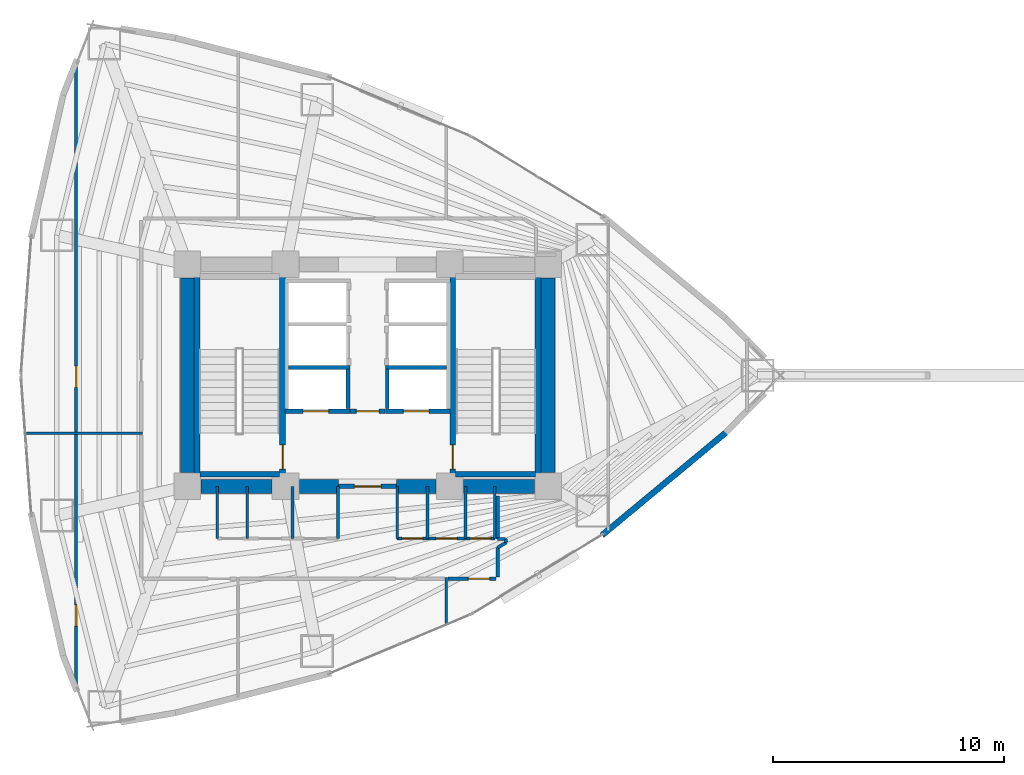
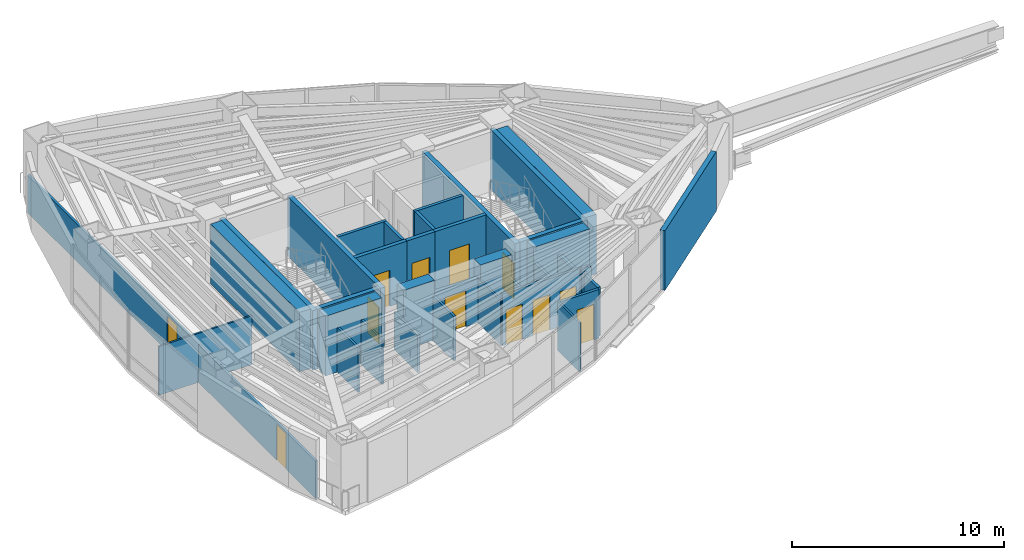
# One storey, part 14 of 18: 39 walls, 12 doors, 12 openings.
"""IFC4 building model written with IfcOpenShell, lengths in metres."""

from ifc_helpers import new_model, si_unit, direction, frame, frame_2d, origin, place, context, subcontext, project, spatial, rectangle, extrude, material, layer, layer_set, type_object, element, fill, save


model = new_model("IFC4")

# Units and contexts
model_context = context("Model", 3, precision=1e-05, world=origin(), true_north=direction((0.0, 1.0)))
body_context = subcontext(model_context, "Body", "Model", "MODEL_VIEW")
ifc_project = project(units=[si_unit("LENGTHUNIT", "METRE"), si_unit("AREAUNIT", "SQUARE_METRE"), si_unit("VOLUMEUNIT", "CUBIC_METRE"), si_unit("PLANEANGLEUNIT", "RADIAN"), si_unit("MASSUNIT", "GRAM", prefix="KILO")], contexts=[model_context])

# Site, building, storey
site_placement = place(None, origin())
site = spatial("IfcSite", under=ifc_project, at=site_placement, CompositionType="ELEMENT")
building_placement = place(site_placement, origin())
building = spatial("IfcBuilding", under=site, at=building_placement, Name="Menara Vayukalpa", CompositionType="ELEMENT")
storey_placement = place(building_placement, frame((0.0, 0.0, 53.639892578125)))
storey = spatial("IfcBuildingStorey", under=building, at=storey_placement, Name="L12", CompositionType="ELEMENT", Elevation=53.639892578125)

# Walls
ifc_material_1 = material(Name="Concrete C70/85", Category="concrete")
ifc_layer_1 = layer(ifc_material_1, 0.60009765625)
ifc_layer_set_1 = layer_set([ifc_layer_1], Name="Concrete C70/85")
wall_type_1 = type_object("IfcWallType", Name="WAL-CW600", PredefinedType="SHEAR", material=ifc_layer_set_1)
wall_1_placement = place(storey_placement, frame((18.39501953125, 17.199951171875, 0.0), z_axis=(0.0, 0.0, 1.0), x_axis=(1.0, 0.0, 0.0)))
element("IfcWall", 1, at=wall_1_placement, inside=storey, type_object=wall_type_1, Name="L12 Buttressed Core Shear Wall CWS1", PredefinedType="SHEAR", context=body_context, shape_type="SweptSolid", body=[
    extrude(rectangle(XDim=3.06005859375, YDim=0.60009765625, at=frame_2d((1.530029296875, 0.0))), origin(), (0.0, 0.0, 1.0), 3.440185546875),
])
wall_2_placement = place(storey_placement, frame((22.64501953125, 17.199951171875, 0.0), z_axis=(0.0, 0.0, 1.0), x_axis=(1.0, 0.0, 0.0)))
element("IfcWall", 2, at=wall_2_placement, inside=storey, type_object=wall_type_1, Name="L12 Buttressed Core Shear Wall CWS2", PredefinedType="SHEAR", context=body_context, shape_type="SweptSolid", body=[
    extrude(rectangle(XDim=1.705078125, YDim=0.60009765625, at=frame_2d((0.8525390625, 0.0))), origin(), (0.0, 0.0, 1.0), 3.440185546875),
])
wall_3_placement = place(storey_placement, frame((26.85009765625, 17.199951171875, 0.0), z_axis=(0.0, 0.0, 1.0), x_axis=(1.0, 0.0, 0.0)))
element("IfcWall", 3, at=wall_3_placement, inside=storey, type_object=wall_type_1, Name="L12 Buttressed Core Shear Wall CWS3", PredefinedType="SHEAR", context=body_context, shape_type="SweptSolid", body=[
    extrude(rectangle(XDim=1.704833984375, YDim=0.60009765625, at=frame_2d((0.8525390625, 0.0))), origin(), (0.0, 0.0, 1.0), 3.440185546875),
])
wall_4_placement = place(storey_placement, frame((29.7451171875, 17.199951171875, 0.0), z_axis=(0.0, 0.0, 1.0), x_axis=(1.0, 0.0, 0.0)))
element("IfcWall", 4, at=wall_4_placement, inside=storey, type_object=wall_type_1, Name="L12 Buttressed Core Shear Wall CWS4", PredefinedType="SHEAR", context=body_context, shape_type="SweptSolid", body=[
    extrude(rectangle(XDim=3.059814453125, YDim=0.60009765625, at=frame_2d((1.52978515625, 0.0))), origin(), (0.0, 0.0, 1.0), 3.440185546875),
])
for number, where, z_axis, x_axis, name in (
    (5, (17.800048828125, 17.794921875, 0.0), (0.0, 0.0, 1.0), (0.0, 1.0, 0.0), "L12 Buttressed Core Shear Wall CWW1"),
    (6, (33.39990234375, 17.794921875, 0.0), (0.0, 0.0, 1.0), (0.0, 1.0, 0.0), "L12 Buttressed Core Shear Wall CWE1"),
):
    element("IfcWall", number, at=place(storey_placement, frame(where, z_axis=z_axis, x_axis=x_axis)), inside=storey, type_object=wall_type_1, Name=name, PredefinedType="SHEAR", context=body_context, shape_type="SweptSolid", body=[
        extrude(rectangle(XDim=8.41015625, YDim=0.60009765625, at=frame_2d((4.205078125, 0.0))), origin(), (0.0, 0.0, 1.0), 3.440185546875),
    ])
ifc_material_2 = material(Name="Insulated Precast Concrete C40/50", Category="concrete")
ifc_layer_2 = layer(ifc_material_2, 0.260009765625)
ifc_layer_set_2 = layer_set([ifc_layer_2], Name="Insulated Precast Concrete C40/50")
wall_type_2 = type_object("IfcWallType", Name="WAL-EXT260", PredefinedType="PARTITIONING", material=ifc_layer_set_2)
wall_5_placement = place(storey_placement, frame((41.08935546875, 19.52880859375, 0.0), z_axis=(0.0, 0.0, 1.0), x_axis=(-0.769754596928, -0.638339925517, 0.0)))
element("IfcWall", 7, at=wall_5_placement, inside=storey, type_object=wall_type_2, Name="L12 Perimeter Terracotta Pier Wall 18", PredefinedType="PARTITIONING", context=body_context, shape_type="SweptSolid", body=[
    extrude(rectangle(XDim=6.959228515625, YDim=0.260009765625, at=frame_2d((3.4794921875, 0.0))), origin(), (0.0, 0.0, 1.0), 3.440185546875),
])
ifc_material_3 = material(Name="Lightweight Concrete Blockwork C16/20", Category="masonry")
ifc_layer_3 = layer(ifc_material_3, 0.159912109375)
ifc_layer_set_3 = layer_set([ifc_layer_3], Name="Lightweight Concrete Blockwork C16/20")
wall_type_3 = type_object("IfcWallType", Name="WAL-FR150", PredefinedType="PARTITIONING", material=ifc_layer_set_3)
wall_6_placement = place(storey_placement, frame((24.7548828125, 20.56005859375, 0.0), z_axis=(0.0, 0.0, 1.0), x_axis=(0.0, 1.0, 0.0)))
element("IfcWall", 8, at=wall_6_placement, inside=storey, type_object=wall_type_3, Name="L12 Interior Partition IW-L12-SHW-W1E", PredefinedType="PARTITIONING", context=body_context, shape_type="SweptSolid", body=[
    extrude(rectangle(XDim=1.7099609375, YDim=0.159912109375, at=frame_2d((0.85498046875, 0.0))), origin(), (0.0, 0.0, 1.0), 3.440185546875),
])
wall_7_placement = place(storey_placement, frame((22.179931640625, 22.344970703125, 0.0), z_axis=(0.0, 0.0, 1.0), x_axis=(1.0, 0.0, 0.0)))
element("IfcWall", 9, at=wall_7_placement, inside=storey, type_object=wall_type_3, Name="L12 Interior Partition IW-L12-SHM-W12", PredefinedType="PARTITIONING", context=body_context, shape_type="SweptSolid", body=[
    extrude(rectangle(XDim=2.650146484375, YDim=0.159912109375, at=frame_2d((1.3251953125, 0.0))), origin(), (0.0, 0.0, 1.0), 3.440185546875),
])
wall_8_placement = place(storey_placement, frame((26.445068359375, 20.56005859375, 0.0), z_axis=(0.0, 0.0, 1.0), x_axis=(0.0, 1.0, 0.0)))
element("IfcWall", 10, at=wall_8_placement, inside=storey, type_object=wall_type_3, Name="L12 Interior Partition IW-L12-SHW-E1W", PredefinedType="PARTITIONING", context=body_context, shape_type="SweptSolid", body=[
    extrude(rectangle(XDim=1.7099609375, YDim=0.159912109375, at=frame_2d((0.85498046875, 0.0))), origin(), (0.0, 0.0, 1.0), 3.440185546875),
])
wall_9_placement = place(storey_placement, frame((26.3701171875, 22.344970703125, 0.0), z_axis=(0.0, 0.0, 1.0), x_axis=(1.0, 0.0, 0.0)))
element("IfcWall", 11, at=wall_9_placement, inside=storey, type_object=wall_type_3, Name="L12 Interior Partition IW-L12-SHM-E13", PredefinedType="PARTITIONING", context=body_context, shape_type="SweptSolid", body=[
    extrude(rectangle(XDim=2.64990234375, YDim=0.159912109375, at=frame_2d((1.324951171875, 0.0))), origin(), (0.0, 0.0, 1.0), 3.440185546875),
])

# Wall, opening, door
ifc_material_4 = material(Name="Lightweight Concrete Blockwork C16/20", Category="masonry")
ifc_layer_4 = layer(ifc_material_4, 0.199951171875)
ifc_layer_set_4 = layer_set([ifc_layer_4], Name="Lightweight Concrete Blockwork C16/20")
wall_type_4 = type_object("IfcWallType", Name="WAL-FR200", PredefinedType="PARTITIONING", material=ifc_layer_set_4)
wall_10_placement = place(storey_placement, frame((24.35009765625, 17.199951171875, 0.0), z_axis=(0.0, 0.0, 1.0), x_axis=(1.0, 0.0, 0.0)))
wall_10 = element("IfcWall", 12, at=wall_10_placement, inside=storey, type_object=wall_type_4, Name="L12 Interior Partition IW-L12-FFLS", PredefinedType="PARTITIONING", context=body_context, shape_type="SweptSolid", body=[
    extrude(rectangle(XDim=2.5, YDim=0.199951171875, at=frame_2d((1.25, 0.0))), origin(), (0.0, 0.0, 1.0), 2.570068359375),
])
opening_1_placement = place(wall_10_placement, frame((0.679931640625, 0.0, 0.0)))
opening_1 = element("IfcOpeningElement", 13, at=opening_1_placement, cuts=wall_10, Name="Opening ID2", PredefinedType="OPENING", context=body_context, shape_type="SweptSolid", body=[
    extrude(rectangle(XDim=1.14990234375, YDim=2.080078125, at=frame_2d((0.574951171875, 1.0400390625))), frame((0.0, 0.10986328125, 0.0), z_axis=(0.0, -1.0, 0.0), x_axis=(1.0, 0.0, 0.0)), (0.0, 0.0, 1.0), 0.219970703125),
])
ifc_material_5 = material(Name="Fire-Rated Powder-Coated Steel Door", Category="steel")
door_type_1 = type_object("IfcDoorType", Name="DR-FD60W", OperationType="NOTDEFINED", PredefinedType="DOOR", material=ifc_material_5)
door_1_placement = place(opening_1_placement, origin())
door_1 = element("IfcDoor", 14, at=door_1_placement, inside=storey, type_object=door_type_1, Name="L12 Interior Door DR-L12-FFLS", OperationType="SINGLE_SWING_LEFT", OverallHeight=2.080078125, OverallWidth=1.14990234375, PredefinedType="DOOR", context=body_context, shape_type="SweptSolid", body=[
    extrude(rectangle(XDim=1.14990234375, YDim=2.080078125, at=frame_2d((0.574951171875, 1.0400390625))), frame((0.0, 0.02490234375, 0.0), z_axis=(0.0, -1.0, 0.0), x_axis=(1.0, 0.0, 0.0)), (0.0, 0.0, 1.0), 0.050048828125),
])
fill(opening_1, door_1)

wall_11_placement = place(storey_placement, frame((24.840087890625, 20.449951171875, 0.0), z_axis=(0.0, 0.0, 1.0), x_axis=(1.0, 0.0, 0.0)))
wall_11 = element("IfcWall", 15, at=wall_11_placement, inside=storey, type_object=wall_type_4, Name="L12 Interior Partition IW-L12-FFLN", PredefinedType="PARTITIONING", context=body_context, shape_type="SweptSolid", body=[
    extrude(rectangle(XDim=1.52001953125, YDim=0.199951171875, at=frame_2d((0.760009765625, 0.0))), origin(), (0.0, 0.0, 1.0), 3.440185546875),
])
opening_2_placement = place(wall_11_placement, frame((0.27001953125, 0.0, 0.0)))
opening_2 = element("IfcOpeningElement", 16, at=opening_2_placement, cuts=wall_11, Name="Opening ID3", PredefinedType="OPENING", context=body_context, shape_type="SweptSolid", body=[
    extrude(rectangle(XDim=0.97998046875, YDim=2.06005859375, at=frame_2d((0.489990234375, 1.030029296875))), frame((0.0, 0.10986328125, 0.0), z_axis=(0.0, -1.0, 0.0), x_axis=(1.0, 0.0, 0.0)), (0.0, 0.0, 1.0), 0.219970703125),
])
ifc_material_6 = material(Name="Fire-Rated Powder-Coated Steel Door", Category="steel")
door_type_2 = type_object("IfcDoorType", Name="DR-FD60", OperationType="NOTDEFINED", PredefinedType="DOOR", material=ifc_material_6)
door_2_placement = place(opening_2_placement, origin())
door_2 = element("IfcDoor", 17, at=door_2_placement, inside=storey, type_object=door_type_2, Name="L12 Interior Door DR-L12-FFLN", OperationType="SINGLE_SWING_RIGHT", OverallHeight=2.06005859375, OverallWidth=0.97998046875, PredefinedType="DOOR", context=body_context, shape_type="SweptSolid", body=[
    extrude(rectangle(XDim=0.97998046875, YDim=2.06005859375, at=frame_2d((0.489990234375, 1.030029296875))), frame((0.0, 0.02490234375, 0.0), z_axis=(0.0, -1.0, 0.0), x_axis=(1.0, 0.0, 0.0)), (0.0, 0.0, 1.0), 0.050048828125),
])
fill(opening_2, door_2)

wall_12_placement = place(storey_placement, frame((22.030029296875, 20.449951171875, 0.0), z_axis=(0.0, 0.0, 1.0), x_axis=(1.0, 0.0, 0.0)))
wall_12 = element("IfcWall", 18, at=wall_12_placement, inside=storey, type_object=wall_type_4, Name="L12 Interior Partition IW-L12-SH-W1", PredefinedType="PARTITIONING", context=body_context, shape_type="SweptSolid", body=[
    extrude(rectangle(XDim=2.800048828125, YDim=0.199951171875, at=frame_2d((1.39990234375, 0.0))), origin(), (0.0, 0.0, 1.0), 3.440185546875),
])
opening_3_placement = place(wall_12_placement, frame((0.780029296875, 0.0, 0.0)))
opening_3 = element("IfcOpeningElement", 19, at=opening_3_placement, cuts=wall_12, Name="Opening LD1", PredefinedType="OPENING", context=body_context, shape_type="SweptSolid", body=[
    extrude(rectangle(XDim=1.10009765625, YDim=2.080078125, at=frame_2d((0.550048828125, 1.0400390625))), frame((0.0, 0.10986328125, 0.0), z_axis=(0.0, -1.0, 0.0), x_axis=(1.0, 0.0, 0.0)), (0.0, 0.0, 1.0), 0.219970703125),
])
ifc_material_7 = material(Name="Brushed Stainless Steel 316 Lift Door", Category="steel")
door_type_3 = type_object("IfcDoorType", Name="DR-LD110", OperationType="NOTDEFINED", PredefinedType="DOOR", material=ifc_material_7)
door_3_placement = place(opening_3_placement, origin())
door_3 = element("IfcDoor", 20, at=door_3_placement, inside=storey, type_object=door_type_3, Name="L12 Interior Door DR-L12-LD-W1", OperationType="DOUBLE_DOOR_SLIDING", OverallHeight=2.080078125, OverallWidth=1.10009765625, PredefinedType="DOOR", context=body_context, shape_type="SweptSolid", body=[
    extrude(rectangle(XDim=1.10009765625, YDim=2.080078125, at=frame_2d((0.550048828125, 1.0400390625))), frame((0.0, 0.02490234375, 0.0), z_axis=(0.0, -1.0, 0.0), x_axis=(1.0, 0.0, 0.0)), (0.0, 0.0, 1.0), 0.050048828125),
])
fill(opening_3, door_3)

wall_13_placement = place(storey_placement, frame((26.3701171875, 20.449951171875, 0.0), z_axis=(0.0, 0.0, 1.0), x_axis=(1.0, 0.0, 0.0)))
wall_13 = element("IfcWall", 21, at=wall_13_placement, inside=storey, type_object=wall_type_4, Name="L12 Interior Partition IW-L12-SH-E1", PredefinedType="PARTITIONING", context=body_context, shape_type="SweptSolid", body=[
    extrude(rectangle(XDim=2.7998046875, YDim=0.199951171875, at=frame_2d((1.39990234375, 0.0))), origin(), (0.0, 0.0, 1.0), 3.440185546875),
])
opening_4_placement = place(wall_13_placement, frame((0.780029296875, 0.0, 0.0)))
opening_4 = element("IfcOpeningElement", 22, at=opening_4_placement, cuts=wall_13, Name="Opening LD1", PredefinedType="OPENING", context=body_context, shape_type="SweptSolid", body=[
    extrude(rectangle(XDim=1.10009765625, YDim=2.080078125, at=frame_2d((0.550048828125, 1.0400390625))), frame((0.0, 0.10986328125, 0.0), z_axis=(0.0, -1.0, 0.0), x_axis=(1.0, 0.0, 0.0)), (0.0, 0.0, 1.0), 0.219970703125),
])
door_4_placement = place(opening_4_placement, origin())
door_4 = element("IfcDoor", 23, at=door_4_placement, inside=storey, type_object=door_type_3, Name="L12 Interior Door DR-L12-LD-E1", OperationType="DOUBLE_DOOR_SLIDING", OverallHeight=2.080078125, OverallWidth=1.10009765625, PredefinedType="DOOR", context=body_context, shape_type="SweptSolid", body=[
    extrude(rectangle(XDim=1.10009765625, YDim=2.080078125, at=frame_2d((0.550048828125, 1.0400390625))), frame((0.0, 0.02490234375, 0.0), z_axis=(0.0, -1.0, 0.0), x_axis=(1.0, 0.0, 0.0)), (0.0, 0.0, 1.0), 0.050048828125),
])
fill(opening_4, door_4)

# Walls
ifc_material_8 = material(Name="Glazed Demountable Office Partition", Category="glass")
ifc_layer_5 = layer(ifc_material_8, 0.094970703125)
ifc_layer_set_5 = layer_set([ifc_layer_5], Name="Glazed Demountable Office Partition")
wall_type_5 = type_object("IfcWallType", Name="WAL-PT100", PredefinedType="PARTITIONING", material=ifc_layer_set_5)
wall_14_placement = place(storey_placement, frame((29.0, 11.211669921875, 0.0), z_axis=(0.0, 0.0, 1.0), x_axis=(0.0, 1.0, 0.0)))
element("IfcWall", 24, at=wall_14_placement, inside=storey, type_object=wall_type_5, Name="L12 Interior Partition IW-L12-RDIV04", PredefinedType="PARTITIONING", context=body_context, shape_type="SweptSolid", body=[
    extrude(rectangle(XDim=2.04833984375, YDim=0.094970703125, at=frame_2d((1.024169921875, 0.0))), origin(), (0.0, 0.0, 1.0), 2.820068359375),
])
wall_15_placement = place(storey_placement, frame((10.787109375, 19.5, 0.0), z_axis=(0.0, 0.0, 1.0), x_axis=(1.0, 0.0, 0.0)))
element("IfcWall", 25, at=wall_15_placement, inside=storey, type_object=wall_type_5, Name="L12 Interior Partition IW-L12-RDIV08", PredefinedType="PARTITIONING", context=body_context, shape_type="SweptSolid", body=[
    extrude(rectangle(XDim=5.0830078125, YDim=0.094970703125, at=frame_2d((2.54150390625, 0.0))), origin(), (0.0, 0.0, 1.0), 2.820068359375),
])
ifc_material_9 = material(Name="Acoustic Mineral Stud Partition", Category="masonry")
ifc_layer_6 = layer(ifc_material_9, 0.110107421875)
ifc_layer_set_6 = layer_set([ifc_layer_6], Name="Acoustic Mineral Stud Partition")
wall_type_6 = type_object("IfcWallType", Name="WAL-PT110", PredefinedType="PARTITIONING", material=ifc_layer_set_6)
for number, where, z_axis, x_axis, name in (
    (26, (20.39990234375, 14.949951171875, 0.0), (0.0, 0.0, 1.0), (0.0, 1.0, 0.0), "L12 Interior Partition IW-L12-SVCD-02"),
    (27, (26.8798828125, 14.949951171875, 0.0), (0.0, 0.0, 1.0), (0.0, 1.0, 0.0), "L12 Interior Partition IW-L12-SVCD-05"),
    (28, (31.10009765625, 14.949951171875, 0.0), (0.0, 0.0, 1.0), (0.0, 1.0, 0.0), "L12 Interior Partition IW-L12-SVCD-08"),
):
    element("IfcWall", number, at=place(storey_placement, frame(where, z_axis=z_axis, x_axis=x_axis)), inside=storey, type_object=wall_type_6, Name=name, PredefinedType="PARTITIONING", context=body_context, shape_type="SweptSolid", body=[
        extrude(rectangle(XDim=2.25, YDim=0.110107421875, at=frame_2d((1.125, 0.0))), origin(), (0.0, 0.0, 1.0), 2.570068359375),
    ])
ifc_material_10 = material(Name="Gypsum Drywall Steel Stud Assembly", Category="steel")
ifc_layer_7 = layer(ifc_material_10, 0.125)
ifc_layer_set_7 = layer_set([ifc_layer_7], Name="Gypsum Drywall Steel Stud Assembly")
wall_type_7 = type_object("IfcWallType", Name="WAL-PT125", PredefinedType="PARTITIONING", material=ifc_layer_set_7)
wall_16_placement = place(storey_placement, frame((19.10009765625, 14.949951171875, 0.0), z_axis=(0.0, 0.0, 1.0), x_axis=(0.0, 1.0, 0.0)))
element("IfcWall", 29, at=wall_16_placement, inside=storey, type_object=wall_type_7, Name="L12 Interior Partition IW-L12-SVCD-01", PredefinedType="PARTITIONING", context=body_context, shape_type="SweptSolid", body=[
    extrude(rectangle(XDim=2.25, YDim=0.125, at=frame_2d((1.125, 0.0))), origin(), (0.0, 0.0, 1.0), 2.570068359375),
])
wall_17_placement = place(storey_placement, frame((22.360107421875, 14.949951171875, 0.0), z_axis=(0.0, 0.0, 1.0), x_axis=(0.0, 1.0, 0.0)))
element("IfcWall", 30, at=wall_17_placement, inside=storey, type_object=wall_type_7, Name="L12 Interior Partition IW-L12-SVCD-03", PredefinedType="PARTITIONING", context=body_context, shape_type="SweptSolid", body=[
    extrude(rectangle(XDim=2.25, YDim=0.125, at=frame_2d((1.125, 0.0))), origin(), (0.0, 0.0, 1.0), 2.170166015625),
])
for number, where, z_axis, x_axis, name in (
    (31, (24.320068359375, 14.949951171875, 0.0), (0.0, 0.0, 1.0), (0.0, 1.0, 0.0), "L12 Interior Partition IW-L12-SVCD-04"),
    (32, (28.18994140625, 14.949951171875, 0.0), (0.0, 0.0, 1.0), (0.0, 1.0, 0.0), "L12 Interior Partition IW-L12-SVCD-06"),
    (33, (29.830078125, 14.949951171875, 0.0), (0.0, 0.0, 1.0), (0.0, 1.0, 0.0), "L12 Interior Partition IW-L12-SVCD-07"),
):
    element("IfcWall", number, at=place(storey_placement, frame(where, z_axis=z_axis, x_axis=x_axis)), inside=storey, type_object=wall_type_7, Name=name, PredefinedType="PARTITIONING", context=body_context, shape_type="SweptSolid", body=[
        extrude(rectangle(XDim=2.25, YDim=0.125, at=frame_2d((1.125, 0.0))), origin(), (0.0, 0.0, 1.0), 2.570068359375),
    ])

# Wall, openings, doors
wall_18_placement = place(storey_placement, frame((13.0, 8.39599609375, 0.0), z_axis=(0.0, 0.0, 1.0), x_axis=(0.0, 1.0, 0.0)))
wall_18 = element("IfcWall", 34, at=wall_18_placement, inside=storey, type_object=wall_type_7, Name="L12 Interior Partition IW-L12-RDIV01", PredefinedType="PARTITIONING", context=body_context, shape_type="SweptSolid", body=[
    extrude(rectangle(XDim=27.2080078125, YDim=0.125, at=frame_2d((13.60400390625, 0.0))), origin(), (0.0, 0.0, 1.0), 2.170166015625),
])
opening_5_placement = place(wall_18_placement, frame((2.759521484375, 0.0, 0.0)))
opening_5 = element("IfcOpeningElement", 35, at=opening_5_placement, cuts=wall_18, Name="Opening ID6", PredefinedType="OPENING", context=body_context, shape_type="SweptSolid", body=[
    extrude(rectangle(XDim=0.919921875, YDim=2.050048828125, at=frame_2d((0.4599609375, 1.02490234375))), frame((0.0, 0.072509765625, 0.0), z_axis=(0.0, -1.0, 0.0), x_axis=(1.0, 0.0, 0.0)), (0.0, 0.0, 1.0), 0.14501953125),
])
opening_6_placement = place(wall_18_placement, frame((13.08447265625, 0.0, 0.0)))
opening_6 = element("IfcOpeningElement", 36, at=opening_6_placement, cuts=wall_18, Name="Opening ID6", PredefinedType="OPENING", context=body_context, shape_type="SweptSolid", body=[
    extrude(rectangle(XDim=0.919921875, YDim=2.050048828125, at=frame_2d((0.4599609375, 1.02490234375))), frame((0.0, 0.072509765625, 0.0), z_axis=(0.0, -1.0, 0.0), x_axis=(1.0, 0.0, 0.0)), (0.0, 0.0, 1.0), 0.14501953125),
])
ifc_material_11 = material(Name="Acoustic Hardwood Veneer Timber Door", Category="wood")
door_type_4 = type_object("IfcDoorType", Name="DR-INT92", OperationType="NOTDEFINED", PredefinedType="DOOR", material=ifc_material_11)
door_5_placement = place(opening_5_placement, origin())
door_5 = element("IfcDoor", 37, at=door_5_placement, inside=storey, type_object=door_type_4, Name="L12 Interior Door DR-L12-STE01", OperationType="SINGLE_SWING_RIGHT", OverallHeight=2.050048828125, OverallWidth=0.919921875, PredefinedType="DOOR", context=body_context, shape_type="SweptSolid", body=[
    extrude(rectangle(XDim=0.919921875, YDim=2.050048828125, at=frame_2d((0.4599609375, 1.02490234375))), frame((0.0, 0.02490234375, 0.0), z_axis=(0.0, -1.0, 0.0), x_axis=(1.0, 0.0, 0.0)), (0.0, 0.0, 1.0), 0.050048828125),
])
fill(opening_5, door_5)
door_6_placement = place(opening_6_placement, origin())
door_6 = element("IfcDoor", 38, at=door_6_placement, inside=storey, type_object=door_type_4, Name="L12 Interior Door DR-L12-STE09", OperationType="SINGLE_SWING_LEFT", OverallHeight=2.050048828125, OverallWidth=0.919921875, PredefinedType="DOOR", context=body_context, shape_type="SweptSolid", body=[
    extrude(rectangle(XDim=0.919921875, YDim=2.050048828125, at=frame_2d((0.4599609375, 1.02490234375))), frame((0.0, 0.02490234375, 0.0), z_axis=(0.0, -1.0, 0.0), x_axis=(1.0, 0.0, 0.0)), (0.0, 0.0, 1.0), 0.050048828125),
])
fill(opening_6, door_6)

ifc_material_12 = material(Name="Gypsum Drywall Acoustic Stud Assembly", Category="masonry")
ifc_layer_8 = layer(ifc_material_12, 0.14501953125)
ifc_layer_set_8 = layer_set([ifc_layer_8], Name="Gypsum Drywall Acoustic Stud Assembly")
wall_type_8 = type_object("IfcWallType", Name="WAL-PT150", PredefinedType="PARTITIONING", material=ifc_layer_set_8)
wall_19_placement = place(storey_placement, frame((26.8798828125, 14.949951171875, 0.0), z_axis=(0.0, 0.0, 1.0), x_axis=(1.0, 0.0, 0.0)))
wall_19 = element("IfcWall", 39, at=wall_19_placement, inside=storey, type_object=wall_type_8, Name="L12 Interior Partition IW-L12-SVCS-E", PredefinedType="PARTITIONING", context=body_context, shape_type="SweptSolid", body=[
    extrude(rectangle(XDim=4.22021484375, YDim=0.14501953125, at=frame_2d((2.110107421875, 0.0))), origin(), (0.0, 0.0, 1.0), 2.97021484375),
])
opening_7_placement = place(wall_19_placement, frame((0.199951171875, 0.0, 0.0)))
opening_7 = element("IfcOpeningElement", 40, at=opening_7_placement, cuts=wall_19, Name="Opening ID7", PredefinedType="OPENING", context=body_context, shape_type="SweptSolid", body=[
    extrude(rectangle(XDim=0.89990234375, YDim=2.02001953125, at=frame_2d((0.449951171875, 1.010009765625))), frame((0.0, 0.08251953125, 0.0), z_axis=(0.0, -1.0, 0.0), x_axis=(1.0, 0.0, 0.0)), (0.0, 0.0, 1.0), 0.1650390625),
])
opening_8_placement = place(wall_19_placement, frame((1.669921875, 0.0, 0.0)))
opening_8 = element("IfcOpeningElement", 41, at=opening_8_placement, cuts=wall_19, Name="Opening ID6", PredefinedType="OPENING", context=body_context, shape_type="SweptSolid", body=[
    extrude(rectangle(XDim=0.919921875, YDim=2.050048828125, at=frame_2d((0.4599609375, 1.02490234375))), frame((0.0, 0.08251953125, 0.0), z_axis=(0.0, -1.0, 0.0), x_axis=(1.0, 0.0, 0.0)), (0.0, 0.0, 1.0), 0.1650390625),
])
opening_9_placement = place(wall_19_placement, frame((3.139892578125, 0.0, 0.0)))
opening_9 = element("IfcOpeningElement", 42, at=opening_9_placement, cuts=wall_19, Name="Opening ID7", PredefinedType="OPENING", context=body_context, shape_type="SweptSolid", body=[
    extrude(rectangle(XDim=0.89990234375, YDim=2.02001953125, at=frame_2d((0.449951171875, 1.010009765625))), frame((0.0, 0.08251953125, 0.0), z_axis=(0.0, -1.0, 0.0), x_axis=(1.0, 0.0, 0.0)), (0.0, 0.0, 1.0), 0.1650390625),
])
door_7_placement = place(opening_8_placement, origin())
door_7 = element("IfcDoor", 43, at=door_7_placement, inside=storey, type_object=door_type_4, Name="L12 Interior Door DR-L12-KSV2", OperationType="SINGLE_SWING_LEFT", OverallHeight=2.050048828125, OverallWidth=0.919921875, PredefinedType="DOOR", context=body_context, shape_type="SweptSolid", body=[
    extrude(rectangle(XDim=0.919921875, YDim=2.050048828125, at=frame_2d((0.4599609375, 1.02490234375))), frame((0.0, 0.02490234375, 0.0), z_axis=(0.0, -1.0, 0.0), x_axis=(1.0, 0.0, 0.0)), (0.0, 0.0, 1.0), 0.050048828125),
])
fill(opening_8, door_7)
ifc_material_13 = material(Name="Powder-Coated Steel Riser Access Door", Category="steel")
door_type_5 = type_object("IfcDoorType", Name="DR-RISER", OperationType="NOTDEFINED", PredefinedType="DOOR", material=ifc_material_13)
door_8_placement = place(opening_7_placement, origin())
door_8 = element("IfcDoor", 44, at=door_8_placement, inside=storey, type_object=door_type_5, Name="L12 Interior Door DR-L12-KSV1", OperationType="SINGLE_SWING_RIGHT", OverallHeight=2.02001953125, OverallWidth=0.89990234375, PredefinedType="DOOR", context=body_context, shape_type="SweptSolid", body=[
    extrude(rectangle(XDim=0.89990234375, YDim=2.02001953125, at=frame_2d((0.449951171875, 1.010009765625))), frame((0.0, 0.02490234375, 0.0), z_axis=(0.0, -1.0, 0.0), x_axis=(1.0, 0.0, 0.0)), (0.0, 0.0, 1.0), 0.050048828125),
])
fill(opening_7, door_8)
door_9_placement = place(opening_9_placement, origin())
door_9 = element("IfcDoor", 45, at=door_9_placement, inside=storey, type_object=door_type_5, Name="L12 Interior Door DR-L12-SMD", OperationType="SINGLE_SWING_RIGHT", OverallHeight=2.02001953125, OverallWidth=0.89990234375, PredefinedType="DOOR", context=body_context, shape_type="SweptSolid", body=[
    extrude(rectangle(XDim=0.89990234375, YDim=2.02001953125, at=frame_2d((0.449951171875, 1.010009765625))), frame((0.0, 0.02490234375, 0.0), z_axis=(0.0, -1.0, 0.0), x_axis=(1.0, 0.0, 0.0)), (0.0, 0.0, 1.0), 0.050048828125),
])
fill(opening_9, door_9)

# Wall, opening, door
wall_20_placement = place(storey_placement, frame((29.070068359375, 13.2099609375, 0.0), z_axis=(0.0, 0.0, 1.0), x_axis=(1.0, 0.0, 0.0)))
wall_20 = element("IfcWall", 46, at=wall_20_placement, inside=storey, type_object=wall_type_8, Name="L12 Interior Partition IW-L12-CRM06-1", PredefinedType="PARTITIONING", context=body_context, shape_type="SweptSolid", body=[
    extrude(rectangle(XDim=2.079833984375, YDim=0.14501953125, at=frame_2d((1.0400390625, 0.0))), origin(), (0.0, 0.0, 1.0), 2.820068359375),
])
opening_10_placement = place(wall_20_placement, frame((0.8798828125, 0.0, 0.0)))
opening_10 = element("IfcOpeningElement", 47, at=opening_10_placement, cuts=wall_20, Name="Opening ID6", PredefinedType="OPENING", context=body_context, shape_type="SweptSolid", body=[
    extrude(rectangle(XDim=0.919921875, YDim=2.050048828125, at=frame_2d((0.4599609375, 1.02490234375))), frame((0.0, 0.08251953125, 0.0), z_axis=(0.0, -1.0, 0.0), x_axis=(1.0, 0.0, 0.0)), (0.0, 0.0, 1.0), 0.1650390625),
])
door_10_placement = place(opening_10_placement, origin())
door_10 = element("IfcDoor", 48, at=door_10_placement, inside=storey, type_object=door_type_4, Name="L12 Interior Door DR-L12-RM06", OperationType="SINGLE_SWING_LEFT", OverallHeight=2.050048828125, OverallWidth=0.919921875, PredefinedType="DOOR", context=body_context, shape_type="SweptSolid", body=[
    extrude(rectangle(XDim=0.919921875, YDim=2.050048828125, at=frame_2d((0.4599609375, 1.02490234375))), frame((0.0, 0.02490234375, 0.0), z_axis=(0.0, -1.0, 0.0), x_axis=(1.0, 0.0, 0.0)), (0.0, 0.0, 1.0), 0.050048828125),
])
fill(opening_10, door_10)

# Walls
wall_21_placement = place(storey_placement, frame((31.22998046875, 13.2900390625, 0.0), z_axis=(0.0, 0.0, 1.0), x_axis=(0.0, 1.0, 0.0)))
element("IfcWall", 49, at=wall_21_placement, inside=storey, type_object=wall_type_8, Name="L12 Interior Partition IW-L12-CRM06-2", PredefinedType="PARTITIONING", context=body_context, shape_type="SweptSolid", body=[
    extrude(rectangle(XDim=1.26806640625, YDim=0.14501953125, at=frame_2d((0.634033203125, 0.0))), origin(), (0.0, 0.0, 1.0), 2.820068359375),
])
wall_22_placement = place(storey_placement, frame((31.22998046875, 14.55810546875, 0.0), z_axis=(0.0, 0.0, 1.0), x_axis=(0.854931196424, 0.518741408971, 0.0)))
element("IfcWall", 50, at=wall_22_placement, inside=storey, type_object=wall_type_8, Name="L12 Interior Partition IW-L12-CRM06-3", PredefinedType="PARTITIONING", context=body_context, shape_type="SweptSolid", body=[
    extrude(rectangle(XDim=0.4306640625, YDim=0.14501953125, at=frame_2d((0.21533203125, 0.0))), origin(), (0.0, 0.0, 1.0), 2.97021484375),
])
wall_23_placement = place(storey_placement, frame((31.556640625, 14.929931640625, 0.0), z_axis=(0.0, 0.0, 1.0), x_axis=(-1.0, 0.0, 0.0)))
element("IfcWall", 51, at=wall_23_placement, inside=storey, type_object=wall_type_8, Name="L12 Interior Partition IW-L12-CRM06-4", PredefinedType="PARTITIONING", context=body_context, shape_type="SweptSolid", body=[
    extrude(rectangle(XDim=0.336669921875, YDim=0.14501953125, at=frame_2d((0.16845703125, 0.0))), origin(), (0.0, 0.0, 1.0), 2.97021484375),
])
wall_24_placement = place(storey_placement, frame((31.219970703125, 14.929931640625, 0.0), z_axis=(0.0, 0.0, 1.0), x_axis=(0.0, 1.0, 0.0)))
element("IfcWall", 52, at=wall_24_placement, inside=storey, type_object=wall_type_8, Name="L12 Interior Partition IW-L12-CRM06-5", PredefinedType="PARTITIONING", context=body_context, shape_type="SweptSolid", body=[
    extrude(rectangle(XDim=1.85009765625, YDim=0.14501953125, at=frame_2d((0.925048828125, 0.0))), origin(), (0.0, 0.0, 1.0), 2.570068359375),
])
wall_25_placement = place(storey_placement, frame((31.59814453125, 14.781494140625, 0.0), z_axis=(0.0, 0.0, 1.0), x_axis=(-0.269277388617, 0.963062660464, 0.0)))
element("IfcWall", 53, at=wall_25_placement, inside=storey, type_object=wall_type_8, Name="L12 Interior Partition IW-L12-CRM06-3-R1", PredefinedType="PARTITIONING", context=body_context, shape_type="SweptSolid", body=[
    extrude(rectangle(XDim=0.154052734375, YDim=0.14501953125, at=frame_2d((0.0771484375, 0.0))), origin(), (0.0, 0.0, 1.0), 2.97021484375),
])
ifc_material_14 = material(Name="Concrete C50/60", Category="concrete")
ifc_layer_9 = layer(ifc_material_14, 0.25)
ifc_layer_set_9 = layer_set([ifc_layer_9], Name="Concrete C50/60")
wall_type_9 = type_object("IfcWallType", Name="WAL-SW250", PredefinedType="SHEAR", material=ifc_layer_set_9)
wall_26_placement = place(storey_placement, frame((18.22900390625, 17.60009765625, 0.0), z_axis=(0.0, 0.0, 1.0), x_axis=(0.0, 1.0, 0.0)))
element("IfcWall", 54, at=wall_26_placement, inside=storey, type_object=wall_type_9, Name="L12 ST1 Structural Stair Shaft Wall W", PredefinedType="SHEAR", context=body_context, shape_type="SweptSolid", body=[
    extrude(rectangle(XDim=8.7998046875, YDim=0.25, at=frame_2d((4.39990234375, 0.0))), origin(), (0.0, 0.0, 1.0), 3.440185546875),
])

# Wall, opening, door
wall_27_placement = place(storey_placement, frame((21.925048828125, 17.60009765625, 0.0), z_axis=(0.0, 0.0, 1.0), x_axis=(0.0, 1.0, 0.0)))
wall_27 = element("IfcWall", 55, at=wall_27_placement, inside=storey, type_object=wall_type_9, Name="L12 ST1 Structural Stair Shaft Wall E", PredefinedType="SHEAR", context=body_context, shape_type="SweptSolid", body=[
    extrude(rectangle(XDim=8.7998046875, YDim=0.25, at=frame_2d((4.39990234375, 0.0))), origin(), (0.0, 0.0, 1.0), 3.440185546875),
])
opening_11_placement = place(wall_27_placement, frame((0.35009765625, 0.0, 0.0)))
opening_11 = element("IfcOpeningElement", 56, at=opening_11_placement, cuts=wall_27, Name="Opening ID1", PredefinedType="OPENING", context=body_context, shape_type="SweptSolid", body=[
    extrude(rectangle(XDim=1.050048828125, YDim=2.080078125, at=frame_2d((0.52490234375, 1.0400390625))), frame((0.0, 0.135009765625, 0.0), z_axis=(0.0, -1.0, 0.0), x_axis=(1.0, 0.0, 0.0)), (0.0, 0.0, 1.0), 0.27001953125),
])
ifc_material_15 = material(Name="Fire-Rated Powder-Coated Steel Door", Category="steel")
door_type_6 = type_object("IfcDoorType", Name="DR-FD120", OperationType="NOTDEFINED", PredefinedType="DOOR", material=ifc_material_15)
door_11_placement = place(opening_11_placement, origin())
door_11 = element("IfcDoor", 57, at=door_11_placement, inside=storey, type_object=door_type_6, Name="L12 Stair Exit Door DR-L12-ST1", OperationType="SINGLE_SWING_LEFT", OverallHeight=2.080078125, OverallWidth=1.050048828125, PredefinedType="DOOR", context=body_context, shape_type="SweptSolid", body=[
    extrude(rectangle(XDim=1.050048828125, YDim=2.080078125, at=frame_2d((0.52490234375, 1.0400390625))), frame((0.0, 0.02490234375, 0.0), z_axis=(0.0, -1.0, 0.0), x_axis=(1.0, 0.0, 0.0)), (0.0, 0.0, 1.0), 0.050048828125),
])
fill(opening_11, door_11)

# Wall
wall_28_placement = place(storey_placement, frame((18.35400390625, 17.72509765625, 0.0), z_axis=(0.0, 0.0, 1.0), x_axis=(1.0, 0.0, 0.0)))
element("IfcWall", 58, at=wall_28_placement, inside=storey, type_object=wall_type_9, Name="L12 ST1 Structural Stair Shaft Wall S", PredefinedType="SHEAR", context=body_context, shape_type="SweptSolid", body=[
    extrude(rectangle(XDim=3.446044921875, YDim=0.25, at=frame_2d((1.72314453125, 0.0))), origin(), (0.0, 0.0, 1.0), 3.440185546875),
])

# Wall, opening, door
wall_29_placement = place(storey_placement, frame((29.27490234375, 17.60009765625, 0.0), z_axis=(0.0, 0.0, 1.0), x_axis=(0.0, 1.0, 0.0)))
wall_29 = element("IfcWall", 59, at=wall_29_placement, inside=storey, type_object=wall_type_9, Name="L12 ST2 Structural Stair Shaft Wall W", PredefinedType="SHEAR", context=body_context, shape_type="SweptSolid", body=[
    extrude(rectangle(XDim=8.7998046875, YDim=0.25, at=frame_2d((4.39990234375, 0.0))), origin(), (0.0, 0.0, 1.0), 3.440185546875),
])
opening_12_placement = place(wall_29_placement, frame((0.35009765625, 0.0, 0.0)))
opening_12 = element("IfcOpeningElement", 60, at=opening_12_placement, cuts=wall_29, Name="Opening ID1", PredefinedType="OPENING", context=body_context, shape_type="SweptSolid", body=[
    extrude(rectangle(XDim=1.050048828125, YDim=2.080078125, at=frame_2d((0.52490234375, 1.0400390625))), frame((0.0, 0.135009765625, 0.0), z_axis=(0.0, -1.0, 0.0), x_axis=(1.0, 0.0, 0.0)), (0.0, 0.0, 1.0), 0.27001953125),
])
door_12_placement = place(opening_12_placement, origin())
door_12 = element("IfcDoor", 61, at=door_12_placement, inside=storey, type_object=door_type_6, Name="L12 Stair Exit Door DR-L12-ST2", OperationType="SINGLE_SWING_RIGHT", OverallHeight=2.080078125, OverallWidth=1.050048828125, PredefinedType="DOOR", context=body_context, shape_type="SweptSolid", body=[
    extrude(rectangle(XDim=1.050048828125, YDim=2.080078125, at=frame_2d((0.52490234375, 1.0400390625))), frame((0.0, 0.02490234375, 0.0), z_axis=(0.0, -1.0, 0.0), x_axis=(1.0, 0.0, 0.0)), (0.0, 0.0, 1.0), 0.050048828125),
])
fill(opening_12, door_12)

# Walls
wall_30_placement = place(storey_placement, frame((32.970947265625, 17.60009765625, 0.0), z_axis=(0.0, 0.0, 1.0), x_axis=(0.0, 1.0, 0.0)))
element("IfcWall", 62, at=wall_30_placement, inside=storey, type_object=wall_type_9, Name="L12 ST2 Structural Stair Shaft Wall E", PredefinedType="SHEAR", context=body_context, shape_type="SweptSolid", body=[
    extrude(rectangle(XDim=8.7998046875, YDim=0.25, at=frame_2d((4.39990234375, 0.0))), origin(), (0.0, 0.0, 1.0), 3.440185546875),
])
wall_31_placement = place(storey_placement, frame((29.39990234375, 17.72509765625, 0.0), z_axis=(0.0, 0.0, 1.0), x_axis=(1.0, 0.0, 0.0)))
element("IfcWall", 63, at=wall_31_placement, inside=storey, type_object=wall_type_9, Name="L12 ST2 Structural Stair Shaft Wall S", PredefinedType="SHEAR", context=body_context, shape_type="SweptSolid", body=[
    extrude(rectangle(XDim=3.446044921875, YDim=0.25, at=frame_2d((1.72314453125, 0.0))), origin(), (0.0, 0.0, 1.0), 3.440185546875),
])

save(model, "model.ifc")
